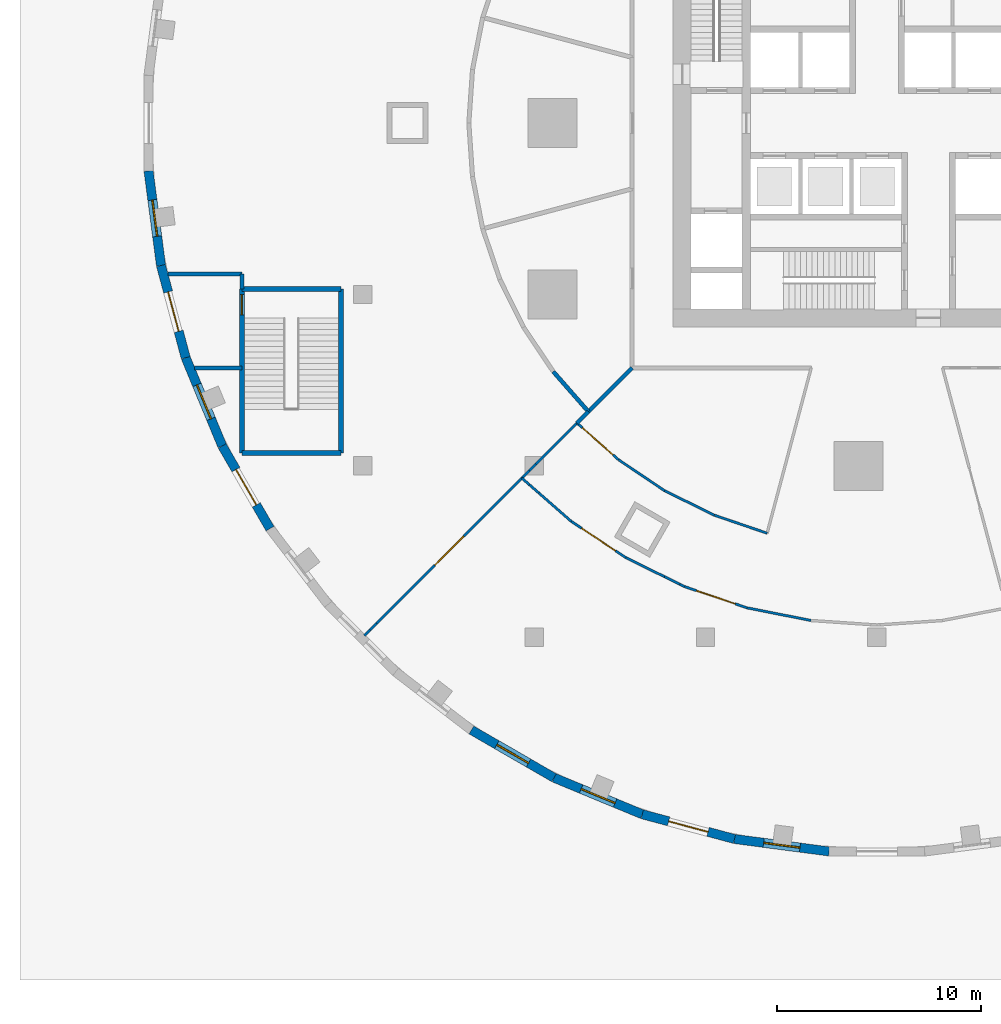
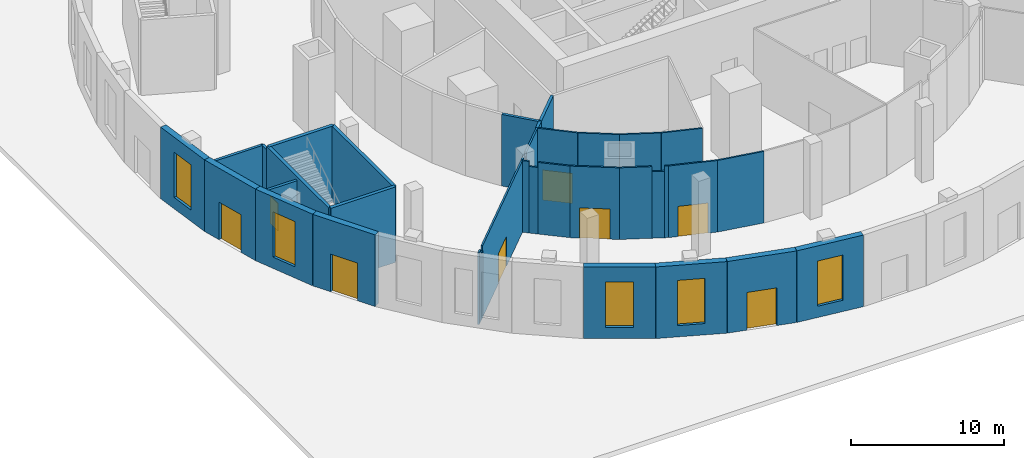
# One storey, part 8 of 19: 37 walls, 8 doors, 5 windows, 13 openings.
"""IFC4 building model written with IfcOpenShell, lengths in metres."""

from ifc_helpers import new_model, si_unit, direction, frame, frame_2d, origin, place, context, subcontext, project, spatial, rectangle, extrude, material, layer, layer_set, type_object, element, fill, save


model = new_model("IFC4")

# Units and contexts
model_context = context("Model", 3, precision=1e-05, world=origin(), true_north=direction((0.0, 1.0)))
body_context = subcontext(model_context, "Body", "Model", "MODEL_VIEW")
ifc_project = project(units=[si_unit("LENGTHUNIT", "METRE"), si_unit("AREAUNIT", "SQUARE_METRE"), si_unit("VOLUMEUNIT", "CUBIC_METRE"), si_unit("PLANEANGLEUNIT", "RADIAN"), si_unit("MASSUNIT", "GRAM", prefix="KILO")], contexts=[model_context])

# Site, building, storey
site_placement = place(None, origin())
site = spatial("IfcSite", under=ifc_project, at=site_placement, CompositionType="ELEMENT")
building_placement = place(site_placement, origin())
building = spatial("IfcBuilding", under=site, at=building_placement, Name="Golbaran Civic Tower", CompositionType="ELEMENT")
storey_placement = place(building_placement, origin())
storey = spatial("IfcBuildingStorey", under=building, at=storey_placement, Name="L00", CompositionType="ELEMENT", Elevation=0.0)

# Wall, opening, door
ifc_material_1 = material(Name="Glazed screen on steel framing", Category="steel")
ifc_layer_1 = layer(ifc_material_1, 0.1201171875, Name="Glazed screen on steel framing")
ifc_layer_set_1 = layer_set([ifc_layer_1], Name="Glazed screen on steel framing")
wall_type_1 = type_object("IfcWallType", Name="GLAZED SCREEN PARTITION 120", PredefinedType="PARTITIONING", material=ifc_layer_set_1)
wall_1_placement = place(storey_placement, frame((-24.5146484375, -24.5146484375, 0.0), z_axis=(0.0, 0.0, 1.0), x_axis=(0.707106781187, 0.707106781187, 0.0)))
wall_1 = element("IfcWall", 1, at=wall_1_placement, inside=storey, type_object=wall_type_1, Name="Podium partition L00", PredefinedType="PARTITIONING", context=body_context, shape_type="SweptSolid", body=[
    extrude(rectangle(XDim=10.061767578125, YDim=0.1201171875, at=frame_2d((5.03076171875, 0.0))), origin(), (0.0, 0.0, 1.0), 5.699951171875),
])
opening_1_placement = place(wall_1_placement, frame((4.03076171875, 0.0, 0.0)))
opening_1 = element("IfcOpeningElement", 2, at=opening_1_placement, cuts=wall_1, Name="Opening L00.17", PredefinedType="OPENING", context=body_context, shape_type="SweptSolid", body=[
    extrude(rectangle(XDim=2.0, YDim=2.39990234375, at=frame_2d((1.0, 1.199951171875))), frame((0.0, 0.070068359375, 0.0), z_axis=(0.0, -1.0, 0.0), x_axis=(1.0, 0.0, 0.0)), (0.0, 0.0, 1.0), 0.14013671875),
])
ifc_material_2 = material(Name="Timber door set in steel frame", Category="steel")
door_type_1 = type_object("IfcDoorType", Name="PUBLIC DOUBLE DOOR 2000x2400", OperationType="DOUBLE_DOOR_SINGLE_SWING", PredefinedType="DOOR", material=ifc_material_2)
door_1_placement = place(opening_1_placement, origin())
door_1 = element("IfcDoor", 3, at=door_1_placement, inside=storey, type_object=door_type_1, Name="Cafe door", OperationType="DOUBLE_DOOR_SINGLE_SWING", OverallHeight=2.39990234375, OverallWidth=2.0, PredefinedType="DOOR", context=body_context, shape_type="SweptSolid", body=[
    extrude(rectangle(XDim=2.0, YDim=2.39990234375, at=frame_2d((1.0, 1.199951171875))), frame((0.0, 0.02490234375, 0.0), z_axis=(0.0, -1.0, 0.0), x_axis=(1.0, 0.0, 0.0)), (0.0, 0.0, 1.0), 0.050048828125),
])
fill(opening_1, door_1)

# Walls
wall_2_placement = place(storey_placement, frame((-24.83984375, -24.83984375, 0.0), z_axis=(0.0, 0.0, 1.0), x_axis=(0.707106781187, 0.707106781187, 0.0)))
element("IfcWall", 4, at=wall_2_placement, inside=storey, type_object=wall_type_1, Name="Podium partition L00 under the beam over", PredefinedType="PARTITIONING", context=body_context, shape_type="SweptSolid", body=[
    extrude(rectangle(XDim=0.4599609375, YDim=0.1201171875, at=frame_2d((0.22998046875, 0.0))), origin(), (0.0, 0.0, 1.0), 5.300048828125),
])
wall_3_placement = place(storey_placement, frame((-25.1201171875, -25.1201171875, 0.0), z_axis=(0.0, 0.0, 1.0), x_axis=(0.707106781187, 0.707106781187, 0.0)))
element("IfcWall", 5, at=wall_3_placement, inside=storey, type_object=wall_type_1, Name="Podium partition L00 under the beam over", PredefinedType="PARTITIONING", context=body_context, shape_type="SweptSolid", body=[
    extrude(rectangle(XDim=0.396484375, YDim=0.1201171875, at=frame_2d((0.1982421875, 0.0))), origin(), (0.0, 0.0, 1.0), 5.699951171875),
])
wall_4_placement = place(storey_placement, frame((-16.570068359375, -18.127197265625, 0.0), z_axis=(0.0, 0.0, 1.0), x_axis=(0.752226011438, -0.658905173538, 0.0)))
element("IfcWall", 6, at=wall_4_placement, inside=storey, type_object=wall_type_1, Name="Podium partition L00", PredefinedType="PARTITIONING", context=body_context, shape_type="SweptSolid", body=[
    extrude(rectangle(XDim=2.11376953125, YDim=0.1201171875, at=frame_2d((1.056884765625, 0.0))), origin(), (0.0, 0.0, 1.0), 5.699951171875),
])
wall_5_placement = place(storey_placement, frame((-17.030029296875, -17.72412109375, 0.0), z_axis=(0.0, 0.0, 1.0), x_axis=(0.752081905539, -0.65906965289, 0.0)))
element("IfcWall", 7, at=wall_5_placement, inside=storey, type_object=wall_type_1, Name="Podium partition L00 under the beam over", PredefinedType="PARTITIONING", context=body_context, shape_type="SweptSolid", body=[
    extrude(rectangle(XDim=0.611572265625, YDim=0.1201171875, at=frame_2d((0.3056640625, 0.0))), origin(), (0.0, 0.0, 1.0), 5.300048828125),
])
wall_6_placement = place(storey_placement, frame((-17.39990234375, -17.39990234375, 0.0), z_axis=(0.0, 0.0, 1.0), x_axis=(0.751992181934, -0.659172024824, 0.0)))
element("IfcWall", 8, at=wall_6_placement, inside=storey, type_object=wall_type_1, Name="Podium partition L00 under the beam over", PredefinedType="PARTITIONING", context=body_context, shape_type="SweptSolid", body=[
    extrude(rectangle(XDim=0.491943359375, YDim=0.1201171875, at=frame_2d((0.24609375, 0.0))), origin(), (0.0, 0.0, 1.0), 5.699951171875),
])
wall_7_placement = place(storey_placement, frame((-16.719970703125, -16.719970703125, 0.0), z_axis=(0.0, 0.0, 1.0), x_axis=(0.707106781187, 0.707106781187, 0.0)))
element("IfcWall", 9, at=wall_7_placement, inside=storey, type_object=wall_type_1, Name="Podium partition L00", PredefinedType="PARTITIONING", context=body_context, shape_type="SweptSolid", body=[
    extrude(rectangle(XDim=2.856689453125, YDim=0.1201171875, at=frame_2d((1.42822265625, 0.0))), origin(), (0.0, 0.0, 1.0), 5.699951171875),
])
wall_8_placement = place(storey_placement, frame((-17.39990234375, -17.39990234375, 0.0), z_axis=(0.0, 0.0, 1.0), x_axis=(0.707106781187, 0.707106781187, 0.0)))
element("IfcWall", 10, at=wall_8_placement, inside=storey, type_object=wall_type_1, Name="Podium partition L00 under the beam over", PredefinedType="PARTITIONING", context=body_context, shape_type="SweptSolid", body=[
    extrude(rectangle(XDim=0.523193359375, YDim=0.1201171875, at=frame_2d((0.26171875, 0.0))), origin(), (0.0, 0.0, 1.0), 5.699951171875),
])
wall_9_placement = place(storey_placement, frame((-17.030029296875, -17.030029296875, 0.0), z_axis=(0.0, 0.0, 1.0), x_axis=(0.707106781187, 0.707106781187, 0.0)))
element("IfcWall", 11, at=wall_9_placement, inside=storey, type_object=wall_type_1, Name="Podium partition L00 under the beam over", PredefinedType="PARTITIONING", context=body_context, shape_type="SweptSolid", body=[
    extrude(rectangle(XDim=0.4384765625, YDim=0.1201171875, at=frame_2d((0.21923828125, 0.0))), origin(), (0.0, 0.0, 1.0), 5.300048828125),
])

# Wall, opening, door
wall_10_placement = place(storey_placement, frame((-14.97998046875, -19.52001953125, 0.0), z_axis=(0.0, 0.0, 1.0), x_axis=(0.832994734858, -0.553280915719, 0.0)))
wall_10 = element("IfcWall", 12, at=wall_10_placement, inside=storey, type_object=wall_type_1, Name="Podium partition L00", PredefinedType="PARTITIONING", context=body_context, shape_type="SweptSolid", body=[
    extrude(rectangle(XDim=3.21728515625, YDim=0.1201171875, at=frame_2d((1.608642578125, 0.0))), origin(), (0.0, 0.0, 1.0), 5.699951171875),
])
opening_2_placement = place(wall_10_placement, frame((0.608642578125, 0.0, 0.0)))
opening_2 = element("IfcOpeningElement", 13, at=opening_2_placement, cuts=wall_10, Name="Opening L00.18", PredefinedType="OPENING", context=body_context, shape_type="SweptSolid", body=[
    extrude(rectangle(XDim=2.0, YDim=2.39990234375, at=frame_2d((1.0, 1.199951171875))), frame((0.0, 0.070068359375, 0.0), z_axis=(0.0, -1.0, 0.0), x_axis=(1.0, 0.0, 0.0)), (0.0, 0.0, 1.0), 0.14013671875),
])
door_2_placement = place(opening_2_placement, frame((2.0, 0.0, 0.0), z_axis=(0.0, 0.0, 1.0), x_axis=(-1.0, 0.0, 0.0)))
door_2 = element("IfcDoor", 14, at=door_2_placement, inside=storey, type_object=door_type_1, Name="Entrance Hall door", OperationType="DOUBLE_DOOR_SINGLE_SWING", OverallHeight=2.39990234375, OverallWidth=2.0, PredefinedType="DOOR", context=body_context, shape_type="SweptSolid", body=[
    extrude(rectangle(XDim=2.0, YDim=2.39990234375, at=frame_2d((1.0, 1.199951171875))), frame((0.0, 0.02490234375, 0.0), z_axis=(0.0, -1.0, 0.0), x_axis=(1.0, 0.0, 0.0)), (0.0, 0.0, 1.0), 0.050048828125),
])
fill(opening_2, door_2)

wall_11_placement = place(storey_placement, frame((-14.699951171875, -14.699951171875, 0.0), z_axis=(0.0, 0.0, 1.0), x_axis=(0.7498352366, -0.661624605009, 0.0)))
wall_11 = element("IfcWall", 15, at=wall_11_placement, inside=storey, type_object=wall_type_1, Name="Podium partition L00", PredefinedType="PARTITIONING", context=body_context, shape_type="SweptSolid", body=[
    extrude(rectangle(XDim=2.720703125, YDim=0.1201171875, at=frame_2d((1.3603515625, 0.0))), origin(), (0.0, 0.0, 1.0), 5.699951171875),
])
opening_3_placement = place(wall_11_placement, frame((0.3603515625, 0.0, 0.0)))
opening_3 = element("IfcOpeningElement", 16, at=opening_3_placement, cuts=wall_11, Name="Opening L00.19", PredefinedType="OPENING", context=body_context, shape_type="SweptSolid", body=[
    extrude(rectangle(XDim=2.0, YDim=2.39990234375, at=frame_2d((1.0, 1.199951171875))), frame((0.0, 0.070068359375, 0.0), z_axis=(0.0, -1.0, 0.0), x_axis=(1.0, 0.0, 0.0)), (0.0, 0.0, 1.0), 0.14013671875),
])
door_3_placement = place(opening_3_placement, origin())
door_3 = element("IfcDoor", 17, at=door_3_placement, inside=storey, type_object=door_type_1, Name="Visitor Registration Office door", OperationType="DOUBLE_DOOR_SINGLE_SWING", OverallHeight=2.39990234375, OverallWidth=2.0, PredefinedType="DOOR", context=body_context, shape_type="SweptSolid", body=[
    extrude(rectangle(XDim=2.0, YDim=2.39990234375, at=frame_2d((1.0, 1.199951171875))), frame((0.0, 0.02490234375, 0.0), z_axis=(0.0, -1.0, 0.0), x_axis=(1.0, 0.0, 0.0)), (0.0, 0.0, 1.0), 0.050048828125),
])
fill(opening_3, door_3)

# Walls
wall_12_placement = place(storey_placement, frame((-12.659912109375, -16.5, 0.0), z_axis=(0.0, 0.0, 1.0), x_axis=(0.82978173513, -0.55808805044, 0.0)))
element("IfcWall", 18, at=wall_12_placement, inside=storey, type_object=wall_type_1, Name="Podium partition L00", PredefinedType="PARTITIONING", context=body_context, shape_type="SweptSolid", body=[
    extrude(rectangle(XDim=2.7236328125, YDim=0.1201171875, at=frame_2d((1.36181640625, 0.0))), origin(), (0.0, 0.0, 1.0), 5.699951171875),
])
wall_13_placement = place(storey_placement, frame((-12.300048828125, -21.300048828125, 0.0), z_axis=(0.0, 0.0, 1.0), x_axis=(0.896913641042, -0.442205744551, 0.0)))
element("IfcWall", 19, at=wall_13_placement, inside=storey, type_object=wall_type_1, Name="Podium partition L00", PredefinedType="PARTITIONING", context=body_context, shape_type="SweptSolid", body=[
    extrude(rectangle(XDim=2.109130859375, YDim=0.1201171875, at=frame_2d((1.0546875, 0.0))), origin(), (0.0, 0.0, 1.0), 5.699951171875),
])
wall_14_placement = place(storey_placement, frame((-10.408447265625, -22.232666015625, 0.0), z_axis=(0.0, 0.0, 1.0), x_axis=(0.896921584296, -0.442189633103, 0.0)))
element("IfcWall", 20, at=wall_14_placement, inside=storey, type_object=wall_type_1, Name="Podium partition L00 under the beam over", PredefinedType="PARTITIONING", context=body_context, shape_type="SweptSolid", body=[
    extrude(rectangle(XDim=0.8369140625, YDim=0.1201171875, at=frame_2d((0.41845703125, 0.0))), origin(), (0.0, 0.0, 1.0), 5.300048828125),
])
wall_15_placement = place(storey_placement, frame((-9.65771484375, -22.602783203125, 0.0), z_axis=(0.0, 0.0, 1.0), x_axis=(0.896990941369, -0.442048923878, 0.0)))
element("IfcWall", 21, at=wall_15_placement, inside=storey, type_object=wall_type_1, Name="Podium partition L00 under the beam over", PredefinedType="PARTITIONING", context=body_context, shape_type="SweptSolid", body=[
    extrude(rectangle(XDim=0.26513671875, YDim=0.1201171875, at=frame_2d((0.132568359375, 0.0))), origin(), (0.0, 0.0, 1.0), 5.699951171875),
])
wall_16_placement = place(storey_placement, frame((-10.39990234375, -18.02001953125, 0.0), z_axis=(0.0, 0.0, 1.0), x_axis=(0.897352880703, -0.441313729103, 0.0)))
element("IfcWall", 22, at=wall_16_placement, inside=storey, type_object=wall_type_1, Name="Podium partition L00", PredefinedType="PARTITIONING", context=body_context, shape_type="SweptSolid", body=[
    extrude(rectangle(XDim=2.718994140625, YDim=0.1201171875, at=frame_2d((1.359375, 0.0))), origin(), (0.0, 0.0, 1.0), 5.699951171875),
])

# Wall, opening, door
wall_17_placement = place(storey_placement, frame((-9.419921875, -22.719970703125, 0.0), z_axis=(0.0, 0.0, 1.0), x_axis=(0.946800830057, -0.321820117773, 0.0)))
wall_17 = element("IfcWall", 23, at=wall_17_placement, inside=storey, type_object=wall_type_1, Name="Podium partition L00", PredefinedType="PARTITIONING", context=body_context, shape_type="SweptSolid", body=[
    extrude(rectangle(XDim=3.231689453125, YDim=0.1201171875, at=frame_2d((1.61572265625, 0.0))), origin(), (0.0, 0.0, 1.0), 5.699951171875),
])
opening_4_placement = place(wall_17_placement, frame((0.615966796875, 0.0, 0.0)))
opening_4 = element("IfcOpeningElement", 24, at=opening_4_placement, cuts=wall_17, Name="Opening L00.20", PredefinedType="OPENING", context=body_context, shape_type="SweptSolid", body=[
    extrude(rectangle(XDim=2.0, YDim=2.39990234375, at=frame_2d((1.0, 1.199951171875))), frame((0.0, 0.070068359375, 0.0), z_axis=(0.0, -1.0, 0.0), x_axis=(1.0, 0.0, 0.0)), (0.0, 0.0, 1.0), 0.14013671875),
])
door_4_placement = place(opening_4_placement, origin())
door_4 = element("IfcDoor", 25, at=door_4_placement, inside=storey, type_object=door_type_1, Name="Atrium door", OperationType="DOUBLE_DOOR_SINGLE_SWING", OverallHeight=2.39990234375, OverallWidth=2.0, PredefinedType="DOOR", context=body_context, shape_type="SweptSolid", body=[
    extrude(rectangle(XDim=2.0, YDim=2.39990234375, at=frame_2d((1.0, 1.199951171875))), frame((0.0, 0.02490234375, 0.0), z_axis=(0.0, -1.0, 0.0), x_axis=(1.0, 0.0, 0.0)), (0.0, 0.0, 1.0), 0.050048828125),
])
fill(opening_4, door_4)

# Walls
wall_18_placement = place(storey_placement, frame((-7.9599609375, -19.219970703125, 0.0), z_axis=(0.0, 0.0, 1.0), x_axis=(0.946448006399, -0.322856270162, 0.0)))
element("IfcWall", 26, at=wall_18_placement, inside=storey, type_object=wall_type_1, Name="Podium partition L00", PredefinedType="PARTITIONING", context=body_context, shape_type="SweptSolid", body=[
    extrude(rectangle(XDim=2.72607421875, YDim=0.1201171875, at=frame_2d((1.363037109375, 0.0))), origin(), (0.0, 0.0, 1.0), 5.699951171875),
])
wall_19_placement = place(storey_placement, frame((-6.360107421875, -23.760009765625, 0.0), z_axis=(0.0, 0.0, 1.0), x_axis=(0.98106754531, -0.193665876033, 0.0)))
element("IfcWall", 27, at=wall_19_placement, inside=storey, type_object=wall_type_1, Name="Podium partition L00", PredefinedType="PARTITIONING", context=body_context, shape_type="SweptSolid", body=[
    extrude(rectangle(XDim=3.20068359375, YDim=0.1201171875, at=frame_2d((1.600341796875, 0.0))), origin(), (0.0, 0.0, 1.0), 5.699951171875),
])
ifc_material_3 = material(Name="Concrete block, plastered", Category="concrete")
ifc_layer_2 = layer(ifc_material_3, 0.199951171875, Name="Concrete block, plastered")
ifc_layer_set_2 = layer_set([ifc_layer_2], Name="Concrete block, plastered")
wall_type_2 = type_object("IfcWallType", Name="PODIUM PARTITION 200", PredefinedType="PARTITIONING", material=ifc_layer_set_2)
wall_20_placement = place(storey_placement, frame((-34.739990234375, -7.39990234375, 0.0), z_axis=(0.0, 0.0, 1.0), x_axis=(1.0, 0.0, 0.0)))
element("IfcWall", 28, at=wall_20_placement, inside=storey, type_object=wall_type_2, Name="Podium partition L00", PredefinedType="PARTITIONING", context=body_context, shape_type="SweptSolid", body=[
    extrude(rectangle(XDim=3.619873046875, YDim=0.199951171875, at=frame_2d((1.81005859375, 0.0))), origin(), (0.0, 0.0, 1.0), 5.699951171875),
])
wall_21_placement = place(storey_placement, frame((-33.43994140625, -12.0, 0.0), z_axis=(0.0, 0.0, 1.0), x_axis=(1.0, 0.0, 0.0)))
element("IfcWall", 29, at=wall_21_placement, inside=storey, type_object=wall_type_2, Name="Podium partition L00", PredefinedType="PARTITIONING", context=body_context, shape_type="SweptSolid", body=[
    extrude(rectangle(XDim=2.31982421875, YDim=0.199951171875, at=frame_2d((1.159912109375, 0.0))), origin(), (0.0, 0.0, 1.0), 5.699951171875),
])
wall_22_placement = place(storey_placement, frame((-31.1201171875, -8.1201171875, 0.0), z_axis=(0.0, 0.0, 1.0), x_axis=(0.0, 1.0, 0.0)))
element("IfcWall", 30, at=wall_22_placement, inside=storey, type_object=wall_type_2, Name="Podium partition L00", PredefinedType="PARTITIONING", context=body_context, shape_type="SweptSolid", body=[
    extrude(rectangle(XDim=0.72021484375, YDim=0.199951171875, at=frame_2d((0.360107421875, 0.0))), origin(), (0.0, 0.0, 1.0), 5.699951171875),
])
wall_23_placement = place(storey_placement, frame((-15.860107421875, -12.179931640625, 0.0), z_axis=(0.0, 0.0, 1.0), x_axis=(0.659643857667, -0.751578326618, 0.0)))
element("IfcWall", 31, at=wall_23_placement, inside=storey, type_object=wall_type_2, Name="Podium partition L00", PredefinedType="PARTITIONING", context=body_context, shape_type="SweptSolid", body=[
    extrude(rectangle(XDim=2.60791015625, YDim=0.199951171875, at=frame_2d((1.303955078125, 0.0))), origin(), (0.0, 0.0, 1.0), 5.699951171875),
])
wall_24_placement = place(storey_placement, frame((-14.699951171875, -14.699951171875, 0.0), z_axis=(0.0, 0.0, 1.0), x_axis=(0.707106781187, 0.707106781187, 0.0)))
element("IfcWall", 32, at=wall_24_placement, inside=storey, type_object=wall_type_2, Name="Podium partition L00", PredefinedType="PARTITIONING", context=body_context, shape_type="SweptSolid", body=[
    extrude(rectangle(XDim=0.7919921875, YDim=0.199951171875, at=frame_2d((0.39599609375, 0.0))), origin(), (0.0, 0.0, 1.0), 5.699951171875),
])
wall_25_placement = place(storey_placement, frame((-14.139892578125, -14.139892578125, 0.0), z_axis=(0.0, 0.0, 1.0), x_axis=(0.707106781187, 0.707106781187, 0.0)))
element("IfcWall", 33, at=wall_25_placement, inside=storey, type_object=wall_type_2, Name="Podium partition L00", PredefinedType="PARTITIONING", context=body_context, shape_type="SweptSolid", body=[
    extrude(rectangle(XDim=3.0263671875, YDim=0.199951171875, at=frame_2d((1.51318359375, 0.0))), origin(), (0.0, 0.0, 1.0), 5.699951171875),
])
ifc_material_4 = material(Name="Concrete C50/60", Category="concrete")
ifc_layer_3 = layer(ifc_material_4, 0.25, Name="Concrete C50/60")
ifc_layer_set_3 = layer_set([ifc_layer_3], Name="Concrete C50/60")
wall_type_3 = type_object("IfcWallType", Name="STAIR ENCLOSURE WALL CONCRETE 250", PredefinedType="SOLIDWALL", material=ifc_layer_set_3)
wall_26_placement = place(storey_placement, frame((-31.125, -8.125, 0.0), z_axis=(0.0, 0.0, 1.0), x_axis=(1.0, 0.0, 0.0)))
element("IfcWall", 34, at=wall_26_placement, inside=storey, type_object=wall_type_3, Name="Stair P3 enclosure A L00", PredefinedType="SOLIDWALL", context=body_context, shape_type="SweptSolid", body=[
    extrude(rectangle(XDim=4.85009765625, YDim=0.25, at=frame_2d((2.425048828125, 0.0))), origin(), (0.0, 0.0, 1.0), 6.0),
])
wall_27_placement = place(storey_placement, frame((-26.27490234375, -8.125, 0.0), z_axis=(0.0, 0.0, 1.0), x_axis=(0.0, -1.0, 0.0)))
element("IfcWall", 35, at=wall_27_placement, inside=storey, type_object=wall_type_3, Name="Stair P3 enclosure B L00", PredefinedType="SOLIDWALL", context=body_context, shape_type="SweptSolid", body=[
    extrude(rectangle(XDim=8.050048828125, YDim=0.25, at=frame_2d((4.02490234375, 0.0))), origin(), (0.0, 0.0, 1.0), 6.0),
])
wall_28_placement = place(storey_placement, frame((-26.27490234375, -16.175048828125, 0.0), z_axis=(0.0, 0.0, 1.0), x_axis=(-1.0, 0.0, 0.0)))
element("IfcWall", 36, at=wall_28_placement, inside=storey, type_object=wall_type_3, Name="Stair P3 enclosure C L00", PredefinedType="SOLIDWALL", context=body_context, shape_type="SweptSolid", body=[
    extrude(rectangle(XDim=4.85009765625, YDim=0.25, at=frame_2d((2.425048828125, 0.0))), origin(), (0.0, 0.0, 1.0), 6.0),
])

# Wall, opening, door
wall_29_placement = place(storey_placement, frame((-31.125, -16.175048828125, 0.0), z_axis=(0.0, 0.0, 1.0), x_axis=(0.0, 1.0, 0.0)))
wall_29 = element("IfcWall", 37, at=wall_29_placement, inside=storey, type_object=wall_type_3, Name="Stair P3 enclosure D L00", PredefinedType="SOLIDWALL", context=body_context, shape_type="SweptSolid", body=[
    extrude(rectangle(XDim=8.050048828125, YDim=0.25, at=frame_2d((4.02490234375, 0.0))), origin(), (0.0, 0.0, 1.0), 6.0),
])
opening_5_placement = place(wall_29_placement, frame((6.77490234375, 0.0, 0.0)))
opening_5 = element("IfcOpeningElement", 38, at=opening_5_placement, cuts=wall_29, Name="Opening L00.P3", PredefinedType="OPENING", context=body_context, shape_type="SweptSolid", body=[
    extrude(rectangle(XDim=1.0, YDim=2.199951171875, at=frame_2d((0.5, 1.10009765625))), frame((0.0, 0.135009765625, 0.0), z_axis=(0.0, -1.0, 0.0), x_axis=(1.0, 0.0, 0.0)), (0.0, 0.0, 1.0), 0.27001953125),
])
door_type_2 = type_object("IfcDoorType", Name="STAIR DOOR 1000x2200", OperationType="SINGLE_SWING_LEFT", PredefinedType="DOOR", material=ifc_material_2)
door_5_placement = place(opening_5_placement, origin())
door_5 = element("IfcDoor", 39, at=door_5_placement, inside=storey, type_object=door_type_2, Name="Stair P3 exit door", OperationType="SINGLE_SWING_RIGHT", OverallHeight=2.199951171875, OverallWidth=1.0, PredefinedType="DOOR", context=body_context, shape_type="SweptSolid", body=[
    extrude(rectangle(XDim=1.0, YDim=2.199951171875, at=frame_2d((0.5, 1.10009765625))), frame((0.0, 0.02490234375, 0.0), z_axis=(0.0, -1.0, 0.0), x_axis=(1.0, 0.0, 0.0)), (0.0, 0.0, 1.0), 0.050048828125),
])
fill(opening_5, door_5)

# Wall, opening, window
ifc_material_5 = material(Name="Terracotta brick", Category="masonry")
ifc_layer_4 = layer(ifc_material_5, 0.449951171875, Name="Terracotta brick")
ifc_layer_set_4 = layer_set([ifc_layer_4], Name="Terracotta brick")
wall_type_4 = type_object("IfcWallType", Name="TERRACOTTA BRICK FACADE WALL 450", PredefinedType="SOLIDWALL", material=ifc_layer_set_4)
wall_30_placement = place(storey_placement, frame((-35.698486328125, -2.33984375, 0.0), z_axis=(0.0, 0.0, 1.0), x_axis=(0.130536838198, -0.991443459746, 0.0)))
wall_30 = element("IfcWall", 40, at=wall_30_placement, inside=storey, type_object=wall_type_4, Name="Podium wall L00 facet 25", PredefinedType="SOLIDWALL", context=body_context, shape_type="SweptSolid", body=[
    extrude(rectangle(XDim=4.679443359375, YDim=0.449951171875, at=frame_2d((2.33984375, 0.0))), origin(), (0.0, 0.0, 1.0), 5.699951171875),
])
opening_6_placement = place(wall_30_placement, frame((1.439697265625, 0.0, 0.89990234375)))
opening_6 = element("IfcOpeningElement", 41, at=opening_6_placement, cuts=wall_30, Name="Opening L00.W17", PredefinedType="OPENING", context=body_context, shape_type="SweptSolid", body=[
    extrude(rectangle(XDim=1.800048828125, YDim=3.60009765625, at=frame_2d((0.89990234375, 1.800048828125))), frame((0.0, 0.23486328125, 0.0), z_axis=(0.0, -1.0, 0.0), x_axis=(1.0, 0.0, 0.0)), (0.0, 0.0, 1.0), 0.469970703125),
])
ifc_material_6 = material(Name="Aluminium frame, clear glass", Category="aluminium")
window_type = type_object("IfcWindowType", Name="PODIUM WINDOW 1800x3600", PartitioningType="SINGLE_PANEL", PredefinedType="WINDOW", material=ifc_material_6)
window_1_placement = place(opening_6_placement, origin())
window_1 = element("IfcWindow", 42, at=window_1_placement, inside=storey, type_object=window_type, Name="Podium window L00 facet 25", OverallHeight=3.60009765625, OverallWidth=1.800048828125, PartitioningType="SINGLE_PANEL", PredefinedType="WINDOW", context=body_context, shape_type="SweptSolid", body=[
    extrude(rectangle(XDim=1.800048828125, YDim=3.60009765625, at=frame_2d((0.89990234375, 1.800048828125))), frame((0.0, 0.030029296875, 0.0), z_axis=(0.0, -1.0, 0.0), x_axis=(1.0, 0.0, 0.0)), (0.0, 0.0, 1.0), 0.06005859375),
])
fill(opening_6, window_1)

# Wall, opening, door
wall_31_placement = place(storey_placement, frame((-35.087646484375, -6.979248046875, 0.0), z_axis=(0.0, 0.0, 1.0), x_axis=(0.258815185258, -0.965926860523, 0.0)))
wall_31 = element("IfcWall", 43, at=wall_31_placement, inside=storey, type_object=wall_type_4, Name="Podium wall L00 facet 26", PredefinedType="SOLIDWALL", context=body_context, shape_type="SweptSolid", body=[
    extrude(rectangle(XDim=4.6796875, YDim=0.449951171875, at=frame_2d((2.33984375, 0.0))), origin(), (0.0, 0.0, 1.0), 5.699951171875),
])
opening_7_placement = place(wall_31_placement, frame((1.33984375, 0.0, 0.0)))
opening_7 = element("IfcOpeningElement", 44, at=opening_7_placement, cuts=wall_31, Name="Opening L00.10", PredefinedType="OPENING", context=body_context, shape_type="SweptSolid", body=[
    extrude(rectangle(XDim=2.0, YDim=3.0, at=frame_2d((1.0, 1.5))), frame((0.0, 0.23486328125, 0.0), z_axis=(0.0, -1.0, 0.0), x_axis=(1.0, 0.0, 0.0)), (0.0, 0.0, 1.0), 0.469970703125),
])
ifc_material_7 = material(Name="Bronze-finished aluminium and glass", Category="aluminium")
door_type_3 = type_object("IfcDoorType", Name="ENTRANCE DOOR 2000x3000", OperationType="DOUBLE_DOOR_SINGLE_SWING", PredefinedType="DOOR", material=ifc_material_7)
door_6_placement = place(opening_7_placement, frame((2.0, 0.0, 0.0), z_axis=(0.0, 0.0, 1.0), x_axis=(-1.0, 0.0, 0.0)))
door_6 = element("IfcDoor", 45, at=door_6_placement, inside=storey, type_object=door_type_3, Name="Stair P3 Exit door", OperationType="DOUBLE_DOOR_SINGLE_SWING", OverallHeight=3.0, OverallWidth=2.0, PredefinedType="DOOR", context=body_context, shape_type="SweptSolid", body=[
    extrude(rectangle(XDim=2.0, YDim=3.0, at=frame_2d((1.0, 1.5))), frame((0.0, 0.02490234375, 0.0), z_axis=(0.0, -1.0, 0.0), x_axis=(1.0, 0.0, 0.0)), (0.0, 0.0, 1.0), 0.050048828125),
])
fill(opening_7, door_6)

# Wall, opening, window
wall_32_placement = place(storey_placement, frame((-33.87646484375, -11.49951171875, 0.0), z_axis=(0.0, 0.0, 1.0), x_axis=(0.382669718086, -0.923885213032, 0.0)))
wall_32 = element("IfcWall", 46, at=wall_32_placement, inside=storey, type_object=wall_type_4, Name="Podium wall L00 facet 27", PredefinedType="SOLIDWALL", context=body_context, shape_type="SweptSolid", body=[
    extrude(rectangle(XDim=4.6796875, YDim=0.449951171875, at=frame_2d((2.33984375, 0.0))), origin(), (0.0, 0.0, 1.0), 5.699951171875),
])
opening_8_placement = place(wall_32_placement, frame((1.439697265625, 0.0, 0.89990234375)))
opening_8 = element("IfcOpeningElement", 47, at=opening_8_placement, cuts=wall_32, Name="Opening L00.W18", PredefinedType="OPENING", context=body_context, shape_type="SweptSolid", body=[
    extrude(rectangle(XDim=1.800048828125, YDim=3.60009765625, at=frame_2d((0.89990234375, 1.800048828125))), frame((0.0, 0.23486328125, 0.0), z_axis=(0.0, -1.0, 0.0), x_axis=(1.0, 0.0, 0.0)), (0.0, 0.0, 1.0), 0.469970703125),
])
window_2_placement = place(opening_8_placement, origin())
window_2 = element("IfcWindow", 48, at=window_2_placement, inside=storey, type_object=window_type, Name="Podium window L00 facet 27", OverallHeight=3.60009765625, OverallWidth=1.800048828125, PartitioningType="SINGLE_PANEL", PredefinedType="WINDOW", context=body_context, shape_type="SweptSolid", body=[
    extrude(rectangle(XDim=1.800048828125, YDim=3.60009765625, at=frame_2d((0.89990234375, 1.800048828125))), frame((0.0, 0.030029296875, 0.0), z_axis=(0.0, -1.0, 0.0), x_axis=(1.0, 0.0, 0.0)), (0.0, 0.0, 1.0), 0.06005859375),
])
fill(opening_8, window_2)

# Wall, opening, door
wall_33_placement = place(storey_placement, frame((-32.085693359375, -15.822998046875, 0.0), z_axis=(0.0, 0.0, 1.0), x_axis=(0.500022025083, -0.866012687223, 0.0)))
wall_33 = element("IfcWall", 49, at=wall_33_placement, inside=storey, type_object=wall_type_4, Name="Podium wall L00 facet 28", PredefinedType="SOLIDWALL", context=body_context, shape_type="SweptSolid", body=[
    extrude(rectangle(XDim=4.679443359375, YDim=0.449951171875, at=frame_2d((2.33984375, 0.0))), origin(), (0.0, 0.0, 1.0), 5.699951171875),
])
opening_9_placement = place(wall_33_placement, frame((1.33984375, 0.0, 0.0)))
opening_9 = element("IfcOpeningElement", 50, at=opening_9_placement, cuts=wall_33, Name="Opening L00.11", PredefinedType="OPENING", context=body_context, shape_type="SweptSolid", body=[
    extrude(rectangle(XDim=2.0, YDim=3.0, at=frame_2d((1.0, 1.5))), frame((0.0, 0.23486328125, 0.0), z_axis=(0.0, -1.0, 0.0), x_axis=(1.0, 0.0, 0.0)), (0.0, 0.0, 1.0), 0.469970703125),
])
door_7_placement = place(opening_9_placement, frame((2.0, 0.0, 0.0), z_axis=(0.0, 0.0, 1.0), x_axis=(-1.0, 0.0, 0.0)))
door_7 = element("IfcDoor", 51, at=door_7_placement, inside=storey, type_object=door_type_3, Name="South-West Entrance door", OperationType="DOUBLE_DOOR_SINGLE_SWING", OverallHeight=3.0, OverallWidth=2.0, PredefinedType="DOOR", context=body_context, shape_type="SweptSolid", body=[
    extrude(rectangle(XDim=2.0, YDim=3.0, at=frame_2d((1.0, 1.5))), frame((0.0, 0.02490234375, 0.0), z_axis=(0.0, -1.0, 0.0), x_axis=(1.0, 0.0, 0.0)), (0.0, 0.0, 1.0), 0.050048828125),
])
fill(opening_9, door_7)

# Wall, opening, window
wall_34_placement = place(storey_placement, frame((-19.87548828125, -29.745849609375, 0.0), z_axis=(0.0, 0.0, 1.0), x_axis=(0.866012687223, -0.500022025083, 0.0)))
wall_34 = element("IfcWall", 52, at=wall_34_placement, inside=storey, type_object=wall_type_4, Name="Podium wall L00 facet 32", PredefinedType="SOLIDWALL", context=body_context, shape_type="SweptSolid", body=[
    extrude(rectangle(XDim=4.679443359375, YDim=0.449951171875, at=frame_2d((2.33984375, 0.0))), origin(), (0.0, 0.0, 1.0), 5.699951171875),
])
opening_10_placement = place(wall_34_placement, frame((1.439697265625, 0.0, 0.89990234375)))
opening_10 = element("IfcOpeningElement", 53, at=opening_10_placement, cuts=wall_34, Name="Opening L00.W23", PredefinedType="OPENING", context=body_context, shape_type="SweptSolid", body=[
    extrude(rectangle(XDim=1.800048828125, YDim=3.60009765625, at=frame_2d((0.89990234375, 1.800048828125))), frame((0.0, 0.23486328125, 0.0), z_axis=(0.0, -1.0, 0.0), x_axis=(1.0, 0.0, 0.0)), (0.0, 0.0, 1.0), 0.469970703125),
])
window_3_placement = place(opening_10_placement, origin())
window_3 = element("IfcWindow", 54, at=window_3_placement, inside=storey, type_object=window_type, Name="Podium window L00 facet 32", OverallHeight=3.60009765625, OverallWidth=1.800048828125, PartitioningType="SINGLE_PANEL", PredefinedType="WINDOW", context=body_context, shape_type="SweptSolid", body=[
    extrude(rectangle(XDim=1.800048828125, YDim=3.60009765625, at=frame_2d((0.89990234375, 1.800048828125))), frame((0.0, 0.030029296875, 0.0), z_axis=(0.0, -1.0, 0.0), x_axis=(1.0, 0.0, 0.0)), (0.0, 0.0, 1.0), 0.06005859375),
])
fill(opening_10, window_3)

wall_35_placement = place(storey_placement, frame((-15.822998046875, -32.085693359375, 0.0), z_axis=(0.0, 0.0, 1.0), x_axis=(0.923885213032, -0.382669718086, 0.0)))
wall_35 = element("IfcWall", 55, at=wall_35_placement, inside=storey, type_object=wall_type_4, Name="Podium wall L00 facet 33", PredefinedType="SOLIDWALL", context=body_context, shape_type="SweptSolid", body=[
    extrude(rectangle(XDim=4.6796875, YDim=0.449951171875, at=frame_2d((2.33984375, 0.0))), origin(), (0.0, 0.0, 1.0), 5.699951171875),
])
opening_11_placement = place(wall_35_placement, frame((1.439697265625, 0.0, 0.89990234375)))
opening_11 = element("IfcOpeningElement", 56, at=opening_11_placement, cuts=wall_35, Name="Opening L00.W24", PredefinedType="OPENING", context=body_context, shape_type="SweptSolid", body=[
    extrude(rectangle(XDim=1.800048828125, YDim=3.60009765625, at=frame_2d((0.89990234375, 1.800048828125))), frame((0.0, 0.23486328125, 0.0), z_axis=(0.0, -1.0, 0.0), x_axis=(1.0, 0.0, 0.0)), (0.0, 0.0, 1.0), 0.469970703125),
])
window_4_placement = place(opening_11_placement, origin())
window_4 = element("IfcWindow", 57, at=window_4_placement, inside=storey, type_object=window_type, Name="Podium window L00 facet 33", OverallHeight=3.60009765625, OverallWidth=1.800048828125, PartitioningType="SINGLE_PANEL", PredefinedType="WINDOW", context=body_context, shape_type="SweptSolid", body=[
    extrude(rectangle(XDim=1.800048828125, YDim=3.60009765625, at=frame_2d((0.89990234375, 1.800048828125))), frame((0.0, 0.030029296875, 0.0), z_axis=(0.0, -1.0, 0.0), x_axis=(1.0, 0.0, 0.0)), (0.0, 0.0, 1.0), 0.06005859375),
])
fill(opening_11, window_4)

# Wall, opening, door
wall_36_placement = place(storey_placement, frame((-11.49951171875, -33.87646484375, 0.0), z_axis=(0.0, 0.0, 1.0), x_axis=(0.965926860523, -0.258815185258, 0.0)))
wall_36 = element("IfcWall", 58, at=wall_36_placement, inside=storey, type_object=wall_type_4, Name="Podium wall L00 facet 34", PredefinedType="SOLIDWALL", context=body_context, shape_type="SweptSolid", body=[
    extrude(rectangle(XDim=4.6796875, YDim=0.449951171875, at=frame_2d((2.33984375, 0.0))), origin(), (0.0, 0.0, 1.0), 5.699951171875),
])
opening_12_placement = place(wall_36_placement, frame((1.33984375, 0.0, 0.0)))
opening_12 = element("IfcOpeningElement", 59, at=opening_12_placement, cuts=wall_36, Name="Opening L00.12", PredefinedType="OPENING", context=body_context, shape_type="SweptSolid", body=[
    extrude(rectangle(XDim=2.0, YDim=3.0, at=frame_2d((1.0, 1.5))), frame((0.0, 0.23486328125, 0.0), z_axis=(0.0, -1.0, 0.0), x_axis=(1.0, 0.0, 0.0)), (0.0, 0.0, 1.0), 0.469970703125),
])
door_8_placement = place(opening_12_placement, frame((2.0, 0.0, 0.0), z_axis=(0.0, 0.0, 1.0), x_axis=(-1.0, 0.0, 0.0)))
door_8 = element("IfcDoor", 60, at=door_8_placement, inside=storey, type_object=door_type_3, Name="Entrance door", OperationType="DOUBLE_DOOR_SINGLE_SWING", OverallHeight=3.0, OverallWidth=2.0, PredefinedType="DOOR", context=body_context, shape_type="SweptSolid", body=[
    extrude(rectangle(XDim=2.0, YDim=3.0, at=frame_2d((1.0, 1.5))), frame((0.0, 0.02490234375, 0.0), z_axis=(0.0, -1.0, 0.0), x_axis=(1.0, 0.0, 0.0)), (0.0, 0.0, 1.0), 0.050048828125),
])
fill(opening_12, door_8)

# Wall, opening, window
wall_37_placement = place(storey_placement, frame((-6.979248046875, -35.087646484375, 0.0), z_axis=(0.0, 0.0, 1.0), x_axis=(0.991443459746, -0.130536838198, 0.0)))
wall_37 = element("IfcWall", 61, at=wall_37_placement, inside=storey, type_object=wall_type_4, Name="Podium wall L00 facet 35", PredefinedType="SOLIDWALL", context=body_context, shape_type="SweptSolid", body=[
    extrude(rectangle(XDim=4.679443359375, YDim=0.449951171875, at=frame_2d((2.33984375, 0.0))), origin(), (0.0, 0.0, 1.0), 5.699951171875),
])
opening_13_placement = place(wall_37_placement, frame((1.439697265625, 0.0, 0.89990234375)))
opening_13 = element("IfcOpeningElement", 62, at=opening_13_placement, cuts=wall_37, Name="Opening L00.W25", PredefinedType="OPENING", context=body_context, shape_type="SweptSolid", body=[
    extrude(rectangle(XDim=1.800048828125, YDim=3.60009765625, at=frame_2d((0.89990234375, 1.800048828125))), frame((0.0, 0.23486328125, 0.0), z_axis=(0.0, -1.0, 0.0), x_axis=(1.0, 0.0, 0.0)), (0.0, 0.0, 1.0), 0.469970703125),
])
window_5_placement = place(opening_13_placement, origin())
window_5 = element("IfcWindow", 63, at=window_5_placement, inside=storey, type_object=window_type, Name="Podium window L00 facet 35", OverallHeight=3.60009765625, OverallWidth=1.800048828125, PartitioningType="SINGLE_PANEL", PredefinedType="WINDOW", context=body_context, shape_type="SweptSolid", body=[
    extrude(rectangle(XDim=1.800048828125, YDim=3.60009765625, at=frame_2d((0.89990234375, 1.800048828125))), frame((0.0, 0.030029296875, 0.0), z_axis=(0.0, -1.0, 0.0), x_axis=(1.0, 0.0, 0.0)), (0.0, 0.0, 1.0), 0.06005859375),
])
fill(opening_13, window_5)

save(model, "model.ifc")
